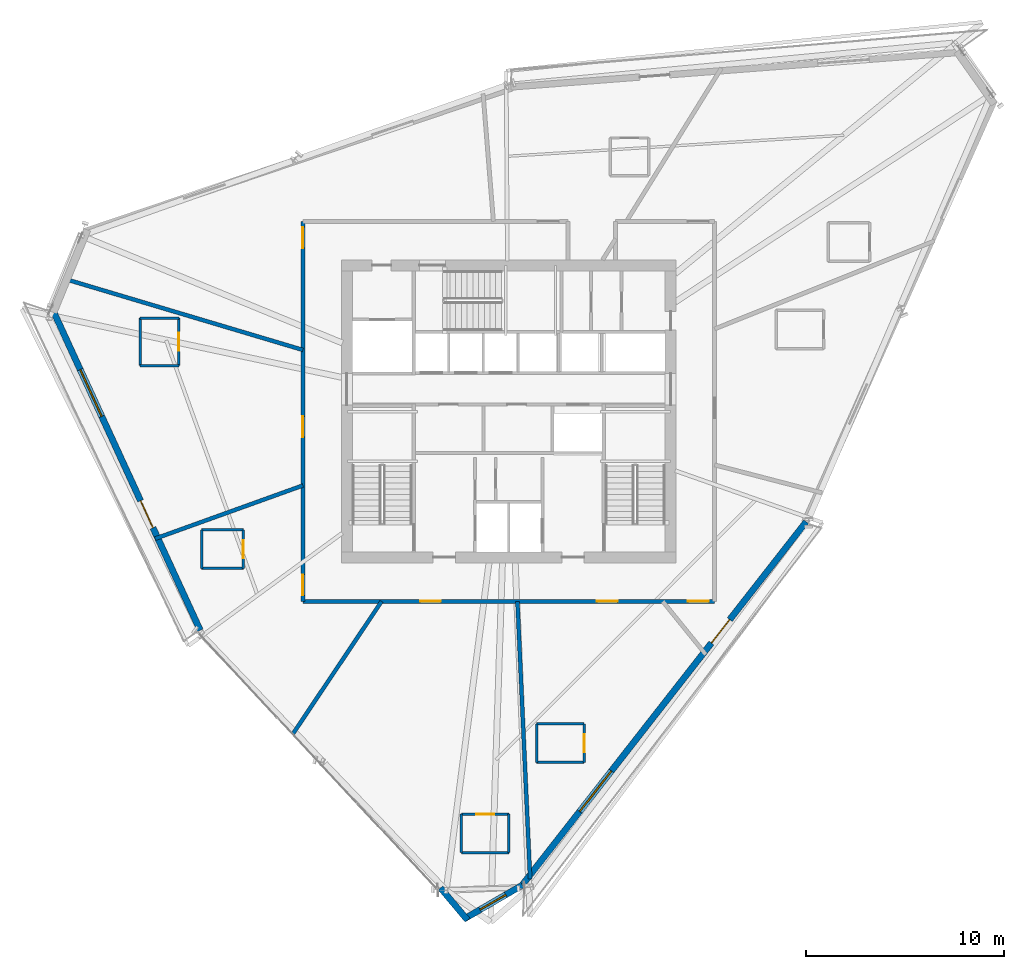
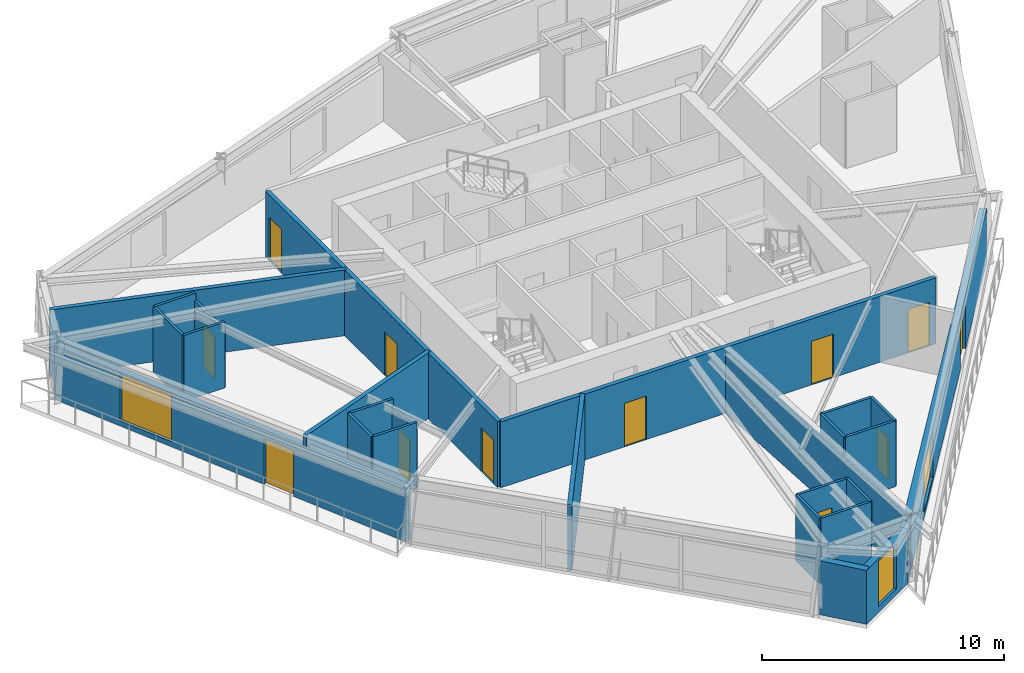
# One storey, part 8 of 14: 26 walls, 12 doors, 3 windows, 15 openings.
"""IFC4 building model written with IfcOpenShell, lengths in metres."""

from ifc_helpers import new_model, si_unit, direction, frame, frame_2d, origin, place, context, subcontext, project, spatial, rectangle, extrude, source, transform, mapped, material, layer, layer_set, type_object, type_shapes, element, fill, save


model = new_model("IFC4")

# Units and contexts
model_context = context("Model", 3, precision=1e-05, world=origin(), true_north=direction((0.0, 1.0)))
body_context = subcontext(model_context, "Body", "Model", "MODEL_VIEW")
ifc_project = project(units=[si_unit("LENGTHUNIT", "METRE"), si_unit("AREAUNIT", "SQUARE_METRE"), si_unit("VOLUMEUNIT", "CUBIC_METRE"), si_unit("PLANEANGLEUNIT", "RADIAN"), si_unit("MASSUNIT", "GRAM", prefix="KILO")], contexts=[model_context])

# Site, building, storey
site_placement = place(None, origin())
site = spatial("IfcSite", under=ifc_project, at=site_placement, CompositionType="ELEMENT")
building_placement = place(site_placement, origin())
building = spatial("IfcBuilding", under=site, at=building_placement, Name="Olszyna Solenne Hotel", CompositionType="ELEMENT")
storey_placement = place(building_placement, frame((0.0, 0.0, 178.550048828125)))
storey = spatial("IfcBuildingStorey", under=building, at=storey_placement, Name="L47", CompositionType="ELEMENT", Elevation=178.550048828125)

# Wall, openings, door, window
ifc_material_1 = material(Name="Precast concrete C45/55", Category="concrete")
ifc_layer_1 = layer(ifc_material_1, 0.320068359375, Name="Precast concrete C45/55")
ifc_layer_set_1 = layer_set([ifc_layer_1], Name="Precast concrete C45/55")
wall_type_1 = type_object("IfcWallType", Name="WL-EX320", PredefinedType="SOLIDWALL", material=ifc_layer_set_1)
wall_1_placement = place(storey_placement, frame((53.023193359375, 21.02099609375, 0.0), z_axis=(0.0, 0.0, 1.0), x_axis=(-0.61594757216, -0.787787146601, 0.0)))
wall_1 = element("IfcWall", 1, at=wall_1_placement, inside=storey, type_object=wall_type_1, Name="Exterior terracotta-precast frame wall WL-EX320 EW-L47-01", PredefinedType="SOLIDWALL", context=body_context, shape_type="SweptSolid", body=[
    extrude(rectangle(XDim=23.34716796875, YDim=0.320068359375, at=frame_2d((11.673583984375, 0.0))), origin(), (0.0, 0.0, 1.0), 2.721923828125),
])
opening_1_placement = place(wall_1_placement, frame((6.27099609375, 0.0, 0.0)))
opening_1 = element("IfcOpeningElement", 2, at=opening_1_placement, cuts=wall_1, Name="Opening LDG-L47-3", PredefinedType="OPENING", context=body_context, shape_type="SweptSolid", body=[
    extrude(rectangle(XDim=1.5, YDim=2.300048828125, at=frame_2d((0.75, 1.14990234375))), frame((0.0, 0.169921875, 0.0), z_axis=(0.0, -1.0, 0.0), x_axis=(1.0, 0.0, 0.0)), (0.0, 0.0, 1.0), 0.340087890625),
])
opening_2_placement = place(wall_1_placement, frame((15.97705078125, 0.0, 0.251953125)))
opening_2 = element("IfcOpeningElement", 3, at=opening_2_placement, cuts=wall_1, Name="Opening WN-L47-293", PredefinedType="OPENING", context=body_context, shape_type="SweptSolid", body=[
    extrude(rectangle(XDim=2.60009765625, YDim=2.35009765625, at=frame_2d((1.300048828125, 1.175048828125))), frame((0.0, 0.169921875, 0.0), z_axis=(0.0, -1.0, 0.0), x_axis=(1.0, 0.0, 0.0)), (0.0, 0.0, 1.0), 0.340087890625),
])
ifc_material_2 = material(Name="Anodised bronze aluminium", Category="aluminium")
door_type_1 = type_object("IfcDoorType", Name="DR-LG2", OperationType="DOUBLE_DOOR_SINGLE_SWING", PredefinedType="DOOR", material=ifc_material_2)
shared_shape_1 = source(origin(), body_context, "Body", "SweptSolid", [
    extrude(rectangle(XDim=1.5, YDim=2.300048828125, at=frame_2d((0.75, 1.14990234375))), frame((0.0, 0.02490234375, 0.0), z_axis=(0.0, -1.0, 0.0), x_axis=(1.0, 0.0, 0.0)), (0.0, 0.0, 1.0), 0.050048828125),
])
type_shapes(door_type_1, [shared_shape_1])
door_1_placement = place(opening_1_placement, origin())
door_1 = element("IfcDoor", 4, at=door_1_placement, inside=storey, type_object=door_type_1, Name="Exterior loggia balcony door DR-LG2 LDG-L47-3", OperationType="DOUBLE_DOOR_SINGLE_SWING", OverallHeight=2.300048828125, OverallWidth=1.5, PredefinedType="DOOR", context=body_context, shape_type="MappedRepresentation", body=[
    mapped(shared_shape_1, transform((0.0, 0.0, 0.0), x_axis=(1.0, 0.0, 0.0), y_axis=(0.0, 1.0, 0.0), z_axis=(0.0, 0.0, 1.0), scale=1.0)),
])
fill(opening_1, door_1)
ifc_material_3 = material(Name="Low-E triple glazing", Category="glass")
window_type_1 = type_object("IfcWindowType", Name="WN-ST1", PartitioningType="SINGLE_PANEL", PredefinedType="WINDOW", material=ifc_material_3)
shared_shape_2 = source(origin(), body_context, "Body", "SweptSolid", [
    extrude(rectangle(XDim=2.60009765625, YDim=2.35009765625, at=frame_2d((1.300048828125, 1.175048828125))), frame((0.0, 0.030029296875, 0.0), z_axis=(0.0, -1.0, 0.0), x_axis=(1.0, 0.0, 0.0)), (0.0, 0.0, 1.0), 0.06005859375),
])
type_shapes(window_type_1, [shared_shape_2])
window_1_placement = place(opening_2_placement, origin())
window_1 = element("IfcWindow", 5, at=window_1_placement, inside=storey, type_object=window_type_1, Name="Loggia room window WN-ST1 WN-L47-293", OverallHeight=2.35009765625, OverallWidth=2.60009765625, PartitioningType="SINGLE_PANEL", PredefinedType="WINDOW", context=body_context, shape_type="MappedRepresentation", body=[
    mapped(shared_shape_2, transform((0.0, 0.0, 0.0), x_axis=(1.0, 0.0, 0.0), y_axis=(0.0, 1.0, 0.0), z_axis=(0.0, 0.0, 1.0), scale=1.0)),
])
fill(opening_2, window_1)

# Wall, opening, window
wall_2_placement = place(storey_placement, frame((38.688232421875, 2.668212890625, 0.0), z_axis=(0.0, 0.0, 1.0), x_axis=(-0.864772067984, -0.502164585007, 0.0)))
wall_2 = element("IfcWall", 6, at=wall_2_placement, inside=storey, type_object=wall_type_1, Name="Exterior terracotta-precast frame wall WL-EX320 EW-L47-02", PredefinedType="SOLIDWALL", context=body_context, shape_type="SweptSolid", body=[
    extrude(rectangle(XDim=3.444580078125, YDim=0.320068359375, at=frame_2d((1.72216796875, 0.0))), origin(), (0.0, 0.0, 1.0), 2.721923828125),
])
opening_3_placement = place(wall_2_placement, frame((0.971923828125, 0.0, 0.302001953125)))
opening_3 = element("IfcOpeningElement", 7, at=opening_3_placement, cuts=wall_2, Name="Opening WN-L47-294", PredefinedType="OPENING", context=body_context, shape_type="SweptSolid", body=[
    extrude(rectangle(XDim=1.5, YDim=2.300048828125, at=frame_2d((0.75, 1.14990234375))), frame((0.0, 0.169921875, 0.0), z_axis=(0.0, -1.0, 0.0), x_axis=(1.0, 0.0, 0.0)), (0.0, 0.0, 1.0), 0.340087890625),
])
window_type_2 = type_object("IfcWindowType", Name="WN-CH1", PartitioningType="SINGLE_PANEL", PredefinedType="WINDOW", material=ifc_material_3)
shared_shape_3 = source(origin(), body_context, "Body", "SweptSolid", [
    extrude(rectangle(XDim=1.5, YDim=2.300048828125, at=frame_2d((0.75, 1.14990234375))), frame((0.0, 0.030029296875, 0.0), z_axis=(0.0, -1.0, 0.0), x_axis=(1.0, 0.0, 0.0)), (0.0, 0.0, 1.0), 0.06005859375),
])
type_shapes(window_type_2, [shared_shape_3])
window_2_placement = place(opening_3_placement, origin())
window_2 = element("IfcWindow", 8, at=window_2_placement, inside=storey, type_object=window_type_2, Name="Exterior facade window WN-CH1 WN-L47-294", OverallHeight=2.300048828125, OverallWidth=1.5, PartitioningType="SINGLE_PANEL", PredefinedType="WINDOW", context=body_context, shape_type="MappedRepresentation", body=[
    mapped(shared_shape_3, transform((0.0, 0.0, 0.0), x_axis=(1.0, 0.0, 0.0), y_axis=(0.0, 1.0, 0.0), z_axis=(0.0, 0.0, 1.0), scale=1.0)),
])
fill(opening_3, window_2)

# Wall
wall_3_placement = place(storey_placement, frame((35.91259765625, 0.90283203125, 0.0), z_axis=(0.0, 0.0, 1.0), x_axis=(-0.642730042418, 0.766092744107, 0.0)))
element("IfcWall", 9, at=wall_3_placement, inside=storey, type_object=wall_type_1, Name="Exterior terracotta-precast frame wall WL-EX320 EW-L47-03", PredefinedType="SOLIDWALL", context=body_context, shape_type="SweptSolid", body=[
    extrude(rectangle(XDim=2.11962890625, YDim=0.320068359375, at=frame_2d((1.059814453125, 0.0))), origin(), (0.0, 0.0, 1.0), 2.721923828125),
])

# Wall, openings, door, window
wall_4_placement = place(storey_placement, frame((22.4111328125, 15.536376953125, 0.0), z_axis=(0.0, 0.0, 1.0), x_axis=(-0.418042306269, 0.90842755912, 0.0)))
wall_4 = element("IfcWall", 10, at=wall_4_placement, inside=storey, type_object=wall_type_1, Name="Exterior terracotta-precast frame wall WL-EX320 EW-L47-05", PredefinedType="SOLIDWALL", context=body_context, shape_type="SweptSolid", body=[
    extrude(rectangle(XDim=17.835693359375, YDim=0.320068359375, at=frame_2d((8.91796875, 0.0))), origin(), (0.0, 0.0, 1.0), 2.721923828125),
])
opening_4_placement = place(wall_4_placement, frame((5.70703125, 0.0, 0.0)))
opening_4 = element("IfcOpeningElement", 11, at=opening_4_placement, cuts=wall_4, Name="Opening LDG-L47-2", PredefinedType="OPENING", context=body_context, shape_type="SweptSolid", body=[
    extrude(rectangle(XDim=1.5, YDim=2.300048828125, at=frame_2d((0.75, 1.14990234375))), frame((0.0, 0.169921875, 0.0), z_axis=(0.0, -1.0, 0.0), x_axis=(1.0, 0.0, 0.0)), (0.0, 0.0, 1.0), 0.340087890625),
])
opening_5_placement = place(wall_4_placement, frame((11.89794921875, 0.0, 0.251953125)))
opening_5 = element("IfcOpeningElement", 12, at=opening_5_placement, cuts=wall_4, Name="Opening WN-L47-295", PredefinedType="OPENING", context=body_context, shape_type="SweptSolid", body=[
    extrude(rectangle(XDim=2.60009765625, YDim=2.35009765625, at=frame_2d((1.300048828125, 1.175048828125))), frame((0.0, 0.169921875, 0.0), z_axis=(0.0, -1.0, 0.0), x_axis=(1.0, 0.0, 0.0)), (0.0, 0.0, 1.0), 0.340087890625),
])
door_2_placement = place(opening_4_placement, origin())
door_2 = element("IfcDoor", 13, at=door_2_placement, inside=storey, type_object=door_type_1, Name="Exterior loggia balcony door DR-LG2 LDG-L47-2", OperationType="DOUBLE_DOOR_SINGLE_SWING", OverallHeight=2.300048828125, OverallWidth=1.5, PredefinedType="DOOR", context=body_context, shape_type="MappedRepresentation", body=[
    mapped(shared_shape_1, transform((0.0, 0.0, 0.0), x_axis=(1.0, 0.0, 0.0), y_axis=(0.0, 1.0, 0.0), z_axis=(0.0, 0.0, 1.0), scale=1.0)),
])
fill(opening_4, door_2)
window_3_placement = place(opening_5_placement, origin())
window_3 = element("IfcWindow", 14, at=window_3_placement, inside=storey, type_object=window_type_1, Name="Loggia room window WN-ST1 WN-L47-295", OverallHeight=2.35009765625, OverallWidth=2.60009765625, PartitioningType="SINGLE_PANEL", PredefinedType="WINDOW", context=body_context, shape_type="MappedRepresentation", body=[
    mapped(shared_shape_2, transform((0.0, 0.0, 0.0), x_axis=(1.0, 0.0, 0.0), y_axis=(0.0, 1.0, 0.0), z_axis=(0.0, 0.0, 1.0), scale=1.0)),
])
fill(opening_5, window_3)

# Wall, opening, door
ifc_material_4 = material(Name="Acoustic gypsum partition", Category="gypsum")
ifc_layer_2 = layer(ifc_material_4, 0.125, Name="Acoustic gypsum partition")
ifc_layer_set_2 = layer_set([ifc_layer_2], Name="Acoustic gypsum partition")
wall_type_2 = type_object("IfcWallType", Name="WL-PT125", PredefinedType="PARTITIONING", material=ifc_layer_set_2)
wall_5_placement = place(storey_placement, frame((24.5869140625, 18.6669921875, 0.0), z_axis=(0.0, 0.0, 1.0), x_axis=(0.0, 1.0, 0.0)))
wall_5 = element("IfcWall", 15, at=wall_5_placement, inside=storey, type_object=wall_type_2, Name="Interior acoustic partition WL-PT125 PW-L47-2623", PredefinedType="PARTITIONING", context=body_context, shape_type="SweptSolid", body=[
    extrude(rectangle(XDim=1.949951171875, YDim=0.125, at=frame_2d((0.97509765625, 0.0))), origin(), (0.0, 0.0, 1.0), 2.954833984375),
])
opening_6_placement = place(wall_5_placement, frame((0.52490234375, 0.0, 0.0)))
opening_6 = element("IfcOpeningElement", 16, at=opening_6_placement, cuts=wall_5, Name="Opening DR-L47-0631", PredefinedType="OPENING", context=body_context, shape_type="SweptSolid", body=[
    extrude(rectangle(XDim=0.89990234375, YDim=2.10009765625, at=frame_2d((0.449951171875, 1.050048828125))), frame((0.0, 0.072509765625, 0.0), z_axis=(0.0, -1.0, 0.0), x_axis=(1.0, 0.0, 0.0)), (0.0, 0.0, 1.0), 0.14501953125),
])
ifc_material_5 = material(Name="Timber hardwood", Category="wood")
door_type_2 = type_object("IfcDoorType", Name="DR-WC1", OperationType="NOTDEFINED", PredefinedType="DOOR", material=ifc_material_5)
shared_shape_4 = source(origin(), body_context, "Body", "SweptSolid", [
    extrude(rectangle(XDim=0.89990234375, YDim=2.10009765625, at=frame_2d((0.449951171875, 1.050048828125))), frame((0.0, 0.02490234375, 0.0), z_axis=(0.0, -1.0, 0.0), x_axis=(1.0, 0.0, 0.0)), (0.0, 0.0, 1.0), 0.050048828125),
])
type_shapes(door_type_2, [shared_shape_4])
door_3_placement = place(opening_6_placement, origin())
door_3 = element("IfcDoor", 17, at=door_3_placement, inside=storey, type_object=door_type_2, Name="En-Suite Bathroom Door DR-L47-0631", OperationType="SINGLE_SWING_RIGHT", OverallHeight=2.10009765625, OverallWidth=0.89990234375, PredefinedType="DOOR", context=body_context, shape_type="MappedRepresentation", body=[
    mapped(shared_shape_4, transform((0.0, 0.0, 0.0), x_axis=(1.0, 0.0, 0.0), y_axis=(0.0, 1.0, 0.0), z_axis=(0.0, 0.0, 1.0), scale=1.0)),
])
fill(opening_6, door_3)

# Walls
wall_6_placement = place(storey_placement, frame((24.5869140625, 20.616943359375, 0.0), z_axis=(0.0, 0.0, 1.0), x_axis=(-1.0, 0.0, 0.0)))
element("IfcWall", 18, at=wall_6_placement, inside=storey, type_object=wall_type_2, Name="Interior acoustic partition WL-PT125 PW-L47-2624", PredefinedType="PARTITIONING", context=body_context, shape_type="SweptSolid", body=[
    extrude(rectangle(XDim=2.099853515625, YDim=0.125, at=frame_2d((1.0498046875, 0.0))), origin(), (0.0, 0.0, 1.0), 3.329833984375),
])
wall_7_placement = place(storey_placement, frame((22.487060546875, 20.616943359375, 0.0), z_axis=(0.0, 0.0, 1.0), x_axis=(0.0, -1.0, 0.0)))
element("IfcWall", 19, at=wall_7_placement, inside=storey, type_object=wall_type_2, Name="Interior acoustic partition WL-PT125 PW-L47-2625", PredefinedType="PARTITIONING", context=body_context, shape_type="SweptSolid", body=[
    extrude(rectangle(XDim=1.949951171875, YDim=0.125, at=frame_2d((0.97509765625, 0.0))), origin(), (0.0, 0.0, 1.0), 3.329833984375),
])
wall_8_placement = place(storey_placement, frame((22.487060546875, 18.6669921875, 0.0), z_axis=(0.0, 0.0, 1.0), x_axis=(1.0, 0.0, 0.0)))
element("IfcWall", 20, at=wall_8_placement, inside=storey, type_object=wall_type_2, Name="Interior acoustic partition WL-PT125 PW-L47-2626", PredefinedType="PARTITIONING", context=body_context, shape_type="SweptSolid", body=[
    extrude(rectangle(XDim=2.099853515625, YDim=0.125, at=frame_2d((1.0498046875, 0.0))), origin(), (0.0, 0.0, 1.0), 3.329833984375),
])
wall_9_placement = place(storey_placement, frame((38.006103515625, 4.306884765625, 0.0), z_axis=(0.0, 0.0, 1.0), x_axis=(0.0, 1.0, 0.0)))
element("IfcWall", 21, at=wall_9_placement, inside=storey, type_object=wall_type_2, Name="Interior acoustic partition WL-PT125 PW-L47-2627", PredefinedType="PARTITIONING", context=body_context, shape_type="SweptSolid", body=[
    extrude(rectangle(XDim=1.9501953125, YDim=0.125, at=frame_2d((0.97509765625, 0.0))), origin(), (0.0, 0.0, 1.0), 3.329833984375),
])

# Wall, opening, door
wall_10_placement = place(storey_placement, frame((38.006103515625, 6.257080078125, 0.0), z_axis=(0.0, 0.0, 1.0), x_axis=(-1.0, 0.0, 0.0)))
wall_10 = element("IfcWall", 22, at=wall_10_placement, inside=storey, type_object=wall_type_2, Name="Interior acoustic partition WL-PT125 PW-L47-2628", PredefinedType="PARTITIONING", context=body_context, shape_type="SweptSolid", body=[
    extrude(rectangle(XDim=2.400146484375, YDim=0.125, at=frame_2d((1.2001953125, 0.0))), origin(), (0.0, 0.0, 1.0), 3.329833984375),
])
opening_7_placement = place(wall_10_placement, frame((0.75, 0.0, 0.0)))
opening_7 = element("IfcOpeningElement", 23, at=opening_7_placement, cuts=wall_10, Name="Opening DR-L47-0632", PredefinedType="OPENING", context=body_context, shape_type="SweptSolid", body=[
    extrude(rectangle(XDim=0.89990234375, YDim=2.10009765625, at=frame_2d((0.449951171875, 1.050048828125))), frame((0.0, 0.072509765625, 0.0), z_axis=(0.0, -1.0, 0.0), x_axis=(1.0, 0.0, 0.0)), (0.0, 0.0, 1.0), 0.14501953125),
])
door_4_placement = place(opening_7_placement, origin())
door_4 = element("IfcDoor", 24, at=door_4_placement, inside=storey, type_object=door_type_2, Name="En-Suite Bathroom Door DR-L47-0632", OperationType="SINGLE_SWING_LEFT", OverallHeight=2.10009765625, OverallWidth=0.89990234375, PredefinedType="DOOR", context=body_context, shape_type="MappedRepresentation", body=[
    mapped(shared_shape_4, transform((0.0, 0.0, 0.0), x_axis=(1.0, 0.0, 0.0), y_axis=(0.0, 1.0, 0.0), z_axis=(0.0, 0.0, 1.0), scale=1.0)),
])
fill(opening_7, door_4)

# Walls
wall_11_placement = place(storey_placement, frame((35.60595703125, 6.257080078125, 0.0), z_axis=(0.0, 0.0, 1.0), x_axis=(0.0, -1.0, 0.0)))
element("IfcWall", 25, at=wall_11_placement, inside=storey, type_object=wall_type_2, Name="Interior acoustic partition WL-PT125 PW-L47-2629", PredefinedType="PARTITIONING", context=body_context, shape_type="SweptSolid", body=[
    extrude(rectangle(XDim=1.9501953125, YDim=0.125, at=frame_2d((0.97509765625, 0.0))), origin(), (0.0, 0.0, 1.0), 3.329833984375),
])
wall_12_placement = place(storey_placement, frame((35.60595703125, 4.306884765625, 0.0), z_axis=(0.0, 0.0, 1.0), x_axis=(1.0, 0.0, 0.0)))
element("IfcWall", 26, at=wall_12_placement, inside=storey, type_object=wall_type_2, Name="Interior acoustic partition WL-PT125 PW-L47-2630", PredefinedType="PARTITIONING", context=body_context, shape_type="SweptSolid", body=[
    extrude(rectangle(XDim=2.400146484375, YDim=0.125, at=frame_2d((1.2001953125, 0.0))), origin(), (0.0, 0.0, 1.0), 3.329833984375),
])

# Wall, opening, door
wall_13_placement = place(storey_placement, frame((41.805908203125, 8.864990234375, 0.0), z_axis=(0.0, 0.0, 1.0), x_axis=(0.0, 1.0, 0.0)))
wall_13 = element("IfcWall", 27, at=wall_13_placement, inside=storey, type_object=wall_type_2, Name="Interior acoustic partition WL-PT125 PW-L47-2631", PredefinedType="PARTITIONING", context=body_context, shape_type="SweptSolid", body=[
    extrude(rectangle(XDim=1.949951171875, YDim=0.125, at=frame_2d((0.97509765625, 0.0))), origin(), (0.0, 0.0, 1.0), 3.329833984375),
])
opening_8_placement = place(wall_13_placement, frame((0.52490234375, 0.0, 0.0)))
opening_8 = element("IfcOpeningElement", 28, at=opening_8_placement, cuts=wall_13, Name="Opening DR-L47-0633", PredefinedType="OPENING", context=body_context, shape_type="SweptSolid", body=[
    extrude(rectangle(XDim=0.89990234375, YDim=2.10009765625, at=frame_2d((0.449951171875, 1.050048828125))), frame((0.0, 0.072509765625, 0.0), z_axis=(0.0, -1.0, 0.0), x_axis=(1.0, 0.0, 0.0)), (0.0, 0.0, 1.0), 0.14501953125),
])
door_5_placement = place(opening_8_placement, origin())
door_5 = element("IfcDoor", 29, at=door_5_placement, inside=storey, type_object=door_type_2, Name="En-Suite Bathroom Door DR-L47-0633", OperationType="SINGLE_SWING_RIGHT", OverallHeight=2.10009765625, OverallWidth=0.89990234375, PredefinedType="DOOR", context=body_context, shape_type="MappedRepresentation", body=[
    mapped(shared_shape_4, transform((0.0, 0.0, 0.0), x_axis=(1.0, 0.0, 0.0), y_axis=(0.0, 1.0, 0.0), z_axis=(0.0, 0.0, 1.0), scale=1.0)),
])
fill(opening_8, door_5)

# Walls
wall_14_placement = place(storey_placement, frame((41.805908203125, 10.81494140625, 0.0), z_axis=(0.0, 0.0, 1.0), x_axis=(-1.0, 0.0, 0.0)))
element("IfcWall", 30, at=wall_14_placement, inside=storey, type_object=wall_type_2, Name="Interior acoustic partition WL-PT125 PW-L47-2632", PredefinedType="PARTITIONING", context=body_context, shape_type="SweptSolid", body=[
    extrude(rectangle(XDim=2.39990234375, YDim=0.125, at=frame_2d((1.199951171875, 0.0))), origin(), (0.0, 0.0, 1.0), 3.329833984375),
])
wall_15_placement = place(storey_placement, frame((39.406005859375, 10.81494140625, 0.0), z_axis=(0.0, 0.0, 1.0), x_axis=(0.0, -1.0, 0.0)))
element("IfcWall", 31, at=wall_15_placement, inside=storey, type_object=wall_type_2, Name="Interior acoustic partition WL-PT125 PW-L47-2633", PredefinedType="PARTITIONING", context=body_context, shape_type="SweptSolid", body=[
    extrude(rectangle(XDim=1.949951171875, YDim=0.125, at=frame_2d((0.97509765625, 0.0))), origin(), (0.0, 0.0, 1.0), 3.329833984375),
])
wall_16_placement = place(storey_placement, frame((39.406005859375, 8.864990234375, 0.0), z_axis=(0.0, 0.0, 1.0), x_axis=(1.0, 0.0, 0.0)))
element("IfcWall", 32, at=wall_16_placement, inside=storey, type_object=wall_type_2, Name="Interior acoustic partition WL-PT125 PW-L47-2634", PredefinedType="PARTITIONING", context=body_context, shape_type="SweptSolid", body=[
    extrude(rectangle(XDim=2.39990234375, YDim=0.125, at=frame_2d((1.199951171875, 0.0))), origin(), (0.0, 0.0, 1.0), 3.329833984375),
])

# Wall, opening, door
wall_17_placement = place(storey_placement, frame((21.327880859375, 28.9130859375, 0.0), z_axis=(0.0, 0.0, 1.0), x_axis=(0.0, 1.0, 0.0)))
wall_17 = element("IfcWall", 33, at=wall_17_placement, inside=storey, type_object=wall_type_2, Name="Interior acoustic partition WL-PT125 PW-L47-2647", PredefinedType="PARTITIONING", context=body_context, shape_type="SweptSolid", body=[
    extrude(rectangle(XDim=2.39990234375, YDim=0.125, at=frame_2d((1.199951171875, 0.0))), origin(), (0.0, 0.0, 1.0), 2.954833984375),
])
opening_9_placement = place(wall_17_placement, frame((0.75, 0.0, 0.0)))
opening_9 = element("IfcOpeningElement", 34, at=opening_9_placement, cuts=wall_17, Name="Opening DR-L47-0637", PredefinedType="OPENING", context=body_context, shape_type="SweptSolid", body=[
    extrude(rectangle(XDim=0.89990234375, YDim=2.10009765625, at=frame_2d((0.449951171875, 1.050048828125))), frame((0.0, 0.072509765625, 0.0), z_axis=(0.0, -1.0, 0.0), x_axis=(1.0, 0.0, 0.0)), (0.0, 0.0, 1.0), 0.14501953125),
])
door_6_placement = place(opening_9_placement, origin())
door_6 = element("IfcDoor", 35, at=door_6_placement, inside=storey, type_object=door_type_2, Name="En-Suite Bathroom Door DR-L47-0637", OperationType="SINGLE_SWING_RIGHT", OverallHeight=2.10009765625, OverallWidth=0.89990234375, PredefinedType="DOOR", context=body_context, shape_type="MappedRepresentation", body=[
    mapped(shared_shape_4, transform((0.0, 0.0, 0.0), x_axis=(1.0, 0.0, 0.0), y_axis=(0.0, 1.0, 0.0), z_axis=(0.0, 0.0, 1.0), scale=1.0)),
])
fill(opening_9, door_6)

# Walls
wall_18_placement = place(storey_placement, frame((21.327880859375, 31.31298828125, 0.0), z_axis=(0.0, 0.0, 1.0), x_axis=(-1.0, 0.0, 0.0)))
element("IfcWall", 36, at=wall_18_placement, inside=storey, type_object=wall_type_2, Name="Interior acoustic partition WL-PT125 PW-L47-2648", PredefinedType="PARTITIONING", context=body_context, shape_type="SweptSolid", body=[
    extrude(rectangle(XDim=1.949951171875, YDim=0.125, at=frame_2d((0.97509765625, 0.0))), origin(), (0.0, 0.0, 1.0), 3.329833984375),
])
wall_19_placement = place(storey_placement, frame((19.3779296875, 31.31298828125, 0.0), z_axis=(0.0, 0.0, 1.0), x_axis=(0.0, -1.0, 0.0)))
element("IfcWall", 37, at=wall_19_placement, inside=storey, type_object=wall_type_2, Name="Interior acoustic partition WL-PT125 PW-L47-2649", PredefinedType="PARTITIONING", context=body_context, shape_type="SweptSolid", body=[
    extrude(rectangle(XDim=2.39990234375, YDim=0.125, at=frame_2d((1.199951171875, 0.0))), origin(), (0.0, 0.0, 1.0), 3.329833984375),
])
wall_20_placement = place(storey_placement, frame((19.3779296875, 28.9130859375, 0.0), z_axis=(0.0, 0.0, 1.0), x_axis=(1.0, 0.0, 0.0)))
element("IfcWall", 38, at=wall_20_placement, inside=storey, type_object=wall_type_2, Name="Interior acoustic partition WL-PT125 PW-L47-2650", PredefinedType="PARTITIONING", context=body_context, shape_type="SweptSolid", body=[
    extrude(rectangle(XDim=1.949951171875, YDim=0.125, at=frame_2d((0.97509765625, 0.0))), origin(), (0.0, 0.0, 1.0), 3.329833984375),
])
ifc_layer_3 = layer(ifc_material_4, 0.199951171875, Name="Acoustic gypsum partition")
ifc_layer_set_3 = layer_set([ifc_layer_3], Name="Acoustic gypsum partition")
wall_type_3 = type_object("IfcWallType", Name="WL-PT200", PredefinedType="PARTITIONING", material=ifc_layer_set_3)
wall_21_placement = place(storey_placement, frame((27.60009765625, 22.855712890625, 0.0), z_axis=(0.0, 0.0, 1.0), x_axis=(-0.94088309604, -0.338731456446, 0.0)))
element("IfcWall", 39, at=wall_21_placement, inside=storey, type_object=wall_type_3, Name="Interior acoustic partition WL-PT200 PW-L47-2613", PredefinedType="PARTITIONING", context=body_context, shape_type="SweptSolid", body=[
    extrude(rectangle(XDim=7.9326171875, YDim=0.199951171875, at=frame_2d((3.96630859375, 0.0))), origin(), (0.0, 0.0, 1.0), 3.329833984375),
])
wall_22_placement = place(storey_placement, frame((31.574462890625, 17.0, 0.0), z_axis=(0.0, 0.0, 1.0), x_axis=(-0.556234798173, -0.831025179704, 0.0)))
element("IfcWall", 40, at=wall_22_placement, inside=storey, type_object=wall_type_3, Name="Interior acoustic partition WL-PT200 PW-L47-2614", PredefinedType="PARTITIONING", context=body_context, shape_type="SweptSolid", body=[
    extrude(rectangle(XDim=8.03515625, YDim=0.199951171875, at=frame_2d((4.017578125, 0.0))), origin(), (0.0, 0.0, 1.0), 3.329833984375),
])
wall_23_placement = place(storey_placement, frame((38.4375, 17.0, 0.0), z_axis=(0.0, 0.0, 1.0), x_axis=(0.045517283836, -0.998963551323, 0.0)))
element("IfcWall", 41, at=wall_23_placement, inside=storey, type_object=wall_type_3, Name="Interior acoustic partition WL-PT200 PW-L47-2615", PredefinedType="PARTITIONING", context=body_context, shape_type="SweptSolid", body=[
    extrude(rectangle(XDim=14.042236328125, YDim=0.199951171875, at=frame_2d((7.02099609375, 0.0))), origin(), (0.0, 0.0, 1.0), 3.0048828125),
])
wall_24_placement = place(storey_placement, frame((27.60009765625, 29.701416015625, 0.0), z_axis=(0.0, 0.0, 1.0), x_axis=(-0.958300687038, 0.285761777048, 0.0)))
element("IfcWall", 42, at=wall_24_placement, inside=storey, type_object=wall_type_3, Name="Interior acoustic partition WL-PT200 PW-L47-2622", PredefinedType="PARTITIONING", context=body_context, shape_type="SweptSolid", body=[
    extrude(rectangle(XDim=12.613525390625, YDim=0.199951171875, at=frame_2d((6.306640625, 0.0))), origin(), (0.0, 0.0, 1.0), 3.329833984375),
])

# Wall, openings, doors
wall_25_placement = place(storey_placement, frame((27.60009765625, 17.0, 0.0), z_axis=(0.0, 0.0, 1.0), x_axis=(1.0, 0.0, 0.0)))
wall_25 = element("IfcWall", 43, at=wall_25_placement, inside=storey, type_object=wall_type_3, Name="Interior acoustic partition WL-PT200 PW-L47-2651", PredefinedType="PARTITIONING", context=body_context, shape_type="SweptSolid", body=[
    extrude(rectangle(XDim=20.7998046875, YDim=0.199951171875, at=frame_2d((10.39990234375, 0.0))), origin(), (0.0, 0.0, 1.0), 3.329833984375),
])
opening_10_placement = place(wall_25_placement, frame((5.919921875, 0.0, 0.0)))
opening_10 = element("IfcOpeningElement", 44, at=opening_10_placement, cuts=wall_25, Name="Opening DR-L47-0638", PredefinedType="OPENING", context=body_context, shape_type="SweptSolid", body=[
    extrude(rectangle(XDim=1.050048828125, YDim=2.199951171875, at=frame_2d((0.52490234375, 1.10009765625))), frame((0.0, 0.10986328125, 0.0), z_axis=(0.0, -1.0, 0.0), x_axis=(1.0, 0.0, 0.0)), (0.0, 0.0, 1.0), 0.219970703125),
])
opening_11_placement = place(wall_25_placement, frame((14.843994140625, 0.0, 0.0)))
opening_11 = element("IfcOpeningElement", 45, at=opening_11_placement, cuts=wall_25, Name="Opening DR-L47-0639", PredefinedType="OPENING", context=body_context, shape_type="SweptSolid", body=[
    extrude(rectangle(XDim=1.050048828125, YDim=2.199951171875, at=frame_2d((0.52490234375, 1.10009765625))), frame((0.0, 0.10986328125, 0.0), z_axis=(0.0, -1.0, 0.0), x_axis=(1.0, 0.0, 0.0)), (0.0, 0.0, 1.0), 0.219970703125),
])
opening_12_placement = place(wall_25_placement, frame((19.449951171875, 0.0, 0.0)))
opening_12 = element("IfcOpeningElement", 46, at=opening_12_placement, cuts=wall_25, Name="Opening DR-L47-0640", PredefinedType="OPENING", context=body_context, shape_type="SweptSolid", body=[
    extrude(rectangle(XDim=1.050048828125, YDim=2.199951171875, at=frame_2d((0.52490234375, 1.10009765625))), frame((0.0, 0.10986328125, 0.0), z_axis=(0.0, -1.0, 0.0), x_axis=(1.0, 0.0, 0.0)), (0.0, 0.0, 1.0), 0.219970703125),
])
door_type_3 = type_object("IfcDoorType", Name="DR-RM2", OperationType="NOTDEFINED", PredefinedType="DOOR", material=ifc_material_5)
shared_shape_5 = source(origin(), body_context, "Body", "SweptSolid", [
    extrude(rectangle(XDim=1.050048828125, YDim=2.199951171875, at=frame_2d((0.52490234375, 1.10009765625))), frame((0.0, 0.02490234375, 0.0), z_axis=(0.0, -1.0, 0.0), x_axis=(1.0, 0.0, 0.0)), (0.0, 0.0, 1.0), 0.050048828125),
])
type_shapes(door_type_3, [shared_shape_5])
door_7_placement = place(opening_10_placement, origin())
door_7 = element("IfcDoor", 47, at=door_7_placement, inside=storey, type_object=door_type_3, Name="Deluxe Hotel Guestroom Entrance Door DR-L47-0638", OperationType="SINGLE_SWING_LEFT", OverallHeight=2.199951171875, OverallWidth=1.050048828125, PredefinedType="DOOR", context=body_context, shape_type="MappedRepresentation", body=[
    mapped(shared_shape_5, transform((0.0, 0.0, 0.0), x_axis=(1.0, 0.0, 0.0), y_axis=(0.0, 1.0, 0.0), z_axis=(0.0, 0.0, 1.0), scale=1.0)),
])
fill(opening_10, door_7)
door_8_placement = place(opening_11_placement, origin())
door_8 = element("IfcDoor", 48, at=door_8_placement, inside=storey, type_object=door_type_3, Name="Deluxe Hotel Guestroom Entrance Door DR-L47-0639", OperationType="SINGLE_SWING_RIGHT", OverallHeight=2.199951171875, OverallWidth=1.050048828125, PredefinedType="DOOR", context=body_context, shape_type="MappedRepresentation", body=[
    mapped(shared_shape_5, transform((0.0, 0.0, 0.0), x_axis=(1.0, 0.0, 0.0), y_axis=(0.0, 1.0, 0.0), z_axis=(0.0, 0.0, 1.0), scale=1.0)),
])
fill(opening_11, door_8)
door_9_placement = place(opening_12_placement, origin())
door_9 = element("IfcDoor", 49, at=door_9_placement, inside=storey, type_object=door_type_3, Name="Deluxe Hotel Guestroom Entrance Door DR-L47-0640", OperationType="SINGLE_SWING_LEFT", OverallHeight=2.199951171875, OverallWidth=1.050048828125, PredefinedType="DOOR", context=body_context, shape_type="MappedRepresentation", body=[
    mapped(shared_shape_5, transform((0.0, 0.0, 0.0), x_axis=(1.0, 0.0, 0.0), y_axis=(0.0, 1.0, 0.0), z_axis=(0.0, 0.0, 1.0), scale=1.0)),
])
fill(opening_12, door_9)

wall_26_placement = place(storey_placement, frame((27.60009765625, 17.0, 0.0), z_axis=(0.0, 0.0, 1.0), x_axis=(0.0, 1.0, 0.0)))
wall_26 = element("IfcWall", 50, at=wall_26_placement, inside=storey, type_object=wall_type_3, Name="Interior acoustic partition WL-PT200 PW-L47-2652", PredefinedType="PARTITIONING", context=body_context, shape_type="SweptSolid", body=[
    extrude(rectangle(XDim=19.199951171875, YDim=0.199951171875, at=frame_2d((9.60009765625, 0.0))), origin(), (0.0, 0.0, 1.0), 3.329833984375),
])
opening_13_placement = place(wall_26_placement, frame((0.300048828125, 0.0, 0.0)))
opening_13 = element("IfcOpeningElement", 51, at=opening_13_placement, cuts=wall_26, Name="Opening DR-L47-0641", PredefinedType="OPENING", context=body_context, shape_type="SweptSolid", body=[
    extrude(rectangle(XDim=1.050048828125, YDim=2.199951171875, at=frame_2d((0.52490234375, 1.10009765625))), frame((0.0, 0.10986328125, 0.0), z_axis=(0.0, -1.0, 0.0), x_axis=(1.0, 0.0, 0.0)), (0.0, 0.0, 1.0), 0.219970703125),
])
opening_14_placement = place(wall_26_placement, frame((17.85009765625, 0.0, 0.0)))
opening_14 = element("IfcOpeningElement", 52, at=opening_14_placement, cuts=wall_26, Name="Opening DR-L47-0642", PredefinedType="OPENING", context=body_context, shape_type="SweptSolid", body=[
    extrude(rectangle(XDim=1.050048828125, YDim=2.199951171875, at=frame_2d((0.52490234375, 1.10009765625))), frame((0.0, 0.10986328125, 0.0), z_axis=(0.0, -1.0, 0.0), x_axis=(1.0, 0.0, 0.0)), (0.0, 0.0, 1.0), 0.219970703125),
])
opening_15_placement = place(wall_26_placement, frame((8.301025390625, 0.0, 0.0)))
opening_15 = element("IfcOpeningElement", 53, at=opening_15_placement, cuts=wall_26, Name="Opening DR-L47-0643", PredefinedType="OPENING", context=body_context, shape_type="SweptSolid", body=[
    extrude(rectangle(XDim=1.050048828125, YDim=2.199951171875, at=frame_2d((0.52490234375, 1.10009765625))), frame((0.0, 0.10986328125, 0.0), z_axis=(0.0, -1.0, 0.0), x_axis=(1.0, 0.0, 0.0)), (0.0, 0.0, 1.0), 0.219970703125),
])
door_10_placement = place(opening_13_placement, origin())
door_10 = element("IfcDoor", 54, at=door_10_placement, inside=storey, type_object=door_type_3, Name="Deluxe Hotel Guestroom Entrance Door DR-L47-0641", OperationType="SINGLE_SWING_RIGHT", OverallHeight=2.199951171875, OverallWidth=1.050048828125, PredefinedType="DOOR", context=body_context, shape_type="MappedRepresentation", body=[
    mapped(shared_shape_5, transform((0.0, 0.0, 0.0), x_axis=(1.0, 0.0, 0.0), y_axis=(0.0, 1.0, 0.0), z_axis=(0.0, 0.0, 1.0), scale=1.0)),
])
fill(opening_13, door_10)
door_11_placement = place(opening_14_placement, origin())
door_11 = element("IfcDoor", 55, at=door_11_placement, inside=storey, type_object=door_type_3, Name="Private Business Office Entrance Door DR-L47-0642", OperationType="SINGLE_SWING_LEFT", OverallHeight=2.199951171875, OverallWidth=1.050048828125, PredefinedType="DOOR", context=body_context, shape_type="MappedRepresentation", body=[
    mapped(shared_shape_5, transform((0.0, 0.0, 0.0), x_axis=(1.0, 0.0, 0.0), y_axis=(0.0, 1.0, 0.0), z_axis=(0.0, 0.0, 1.0), scale=1.0)),
])
fill(opening_14, door_11)
door_12_placement = place(opening_15_placement, origin())
door_12 = element("IfcDoor", 56, at=door_12_placement, inside=storey, type_object=door_type_3, Name="Executive Reading Salon Entrance Door DR-L47-0643", OperationType="SINGLE_SWING_RIGHT", OverallHeight=2.199951171875, OverallWidth=1.050048828125, PredefinedType="DOOR", context=body_context, shape_type="MappedRepresentation", body=[
    mapped(shared_shape_5, transform((0.0, 0.0, 0.0), x_axis=(1.0, 0.0, 0.0), y_axis=(0.0, 1.0, 0.0), z_axis=(0.0, 0.0, 1.0), scale=1.0)),
])
fill(opening_15, door_12)

save(model, "model.ifc")
